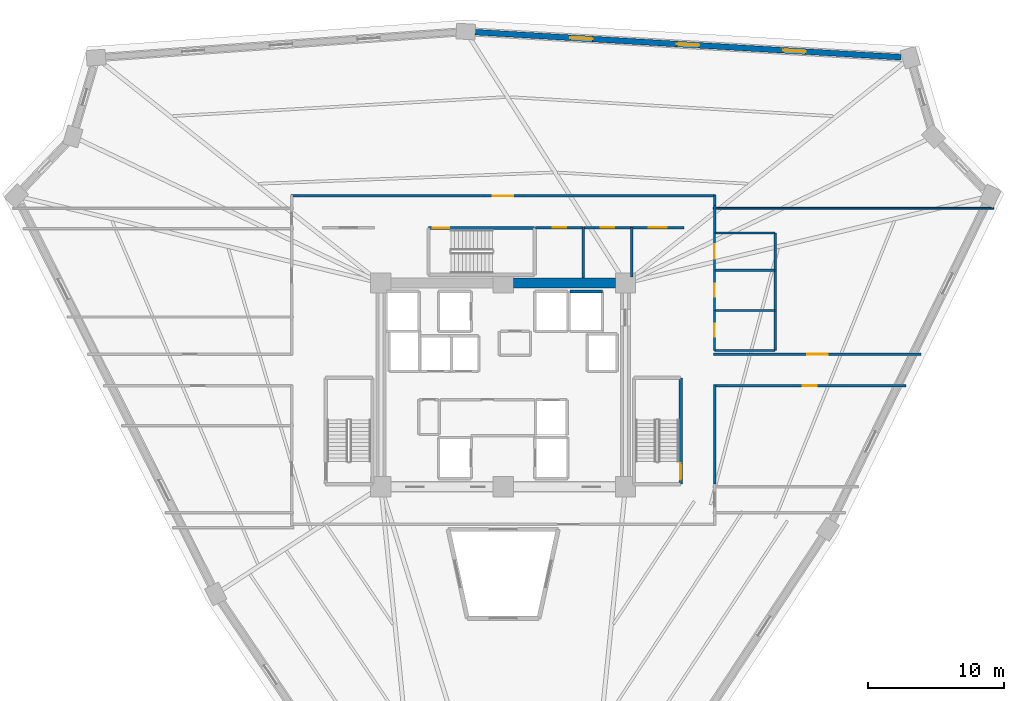
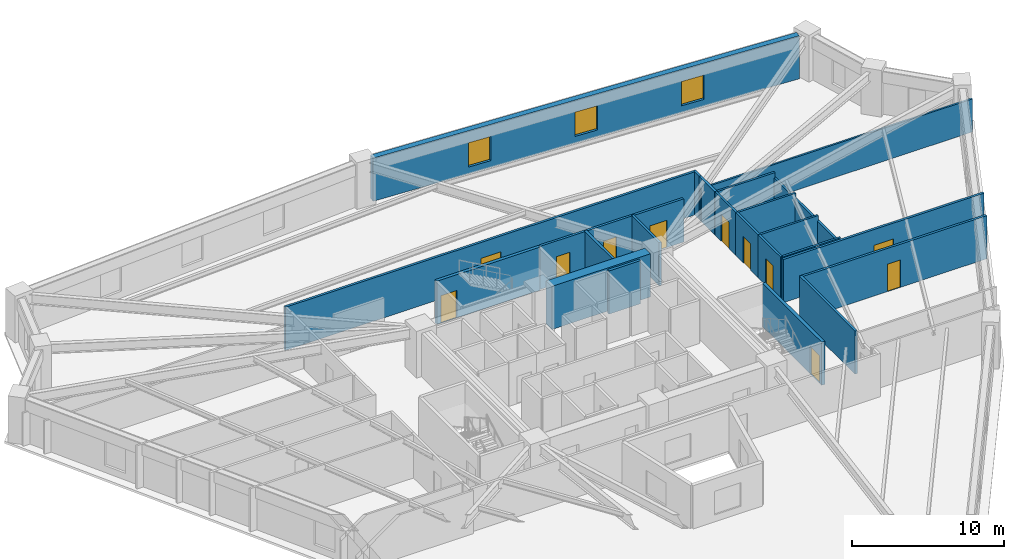
# One storey, part 6 of 8: 25 walls, 11 doors, 3 windows, 14 openings.
"""IFC4 building model written with IfcOpenShell, lengths in metres."""

from ifc_helpers import new_model, si_unit, direction, frame, frame_2d, origin, place, context, subcontext, project, spatial, rectangle, extrude, source, transform, mapped, material, layer, layer_set, type_object, element, fill, save


model = new_model("IFC4")

# Units and contexts
model_context = context("Model", 3, precision=1e-05, world=origin(), true_north=direction((0.0, 1.0)))
body_context = subcontext(model_context, "Body", "Model", "MODEL_VIEW")
ifc_project = project(units=[si_unit("LENGTHUNIT", "METRE"), si_unit("AREAUNIT", "SQUARE_METRE"), si_unit("VOLUMEUNIT", "CUBIC_METRE"), si_unit("PLANEANGLEUNIT", "RADIAN"), si_unit("MASSUNIT", "GRAM", prefix="KILO")], contexts=[model_context])

# Site, building, storey
site_placement = place(None, origin())
site = spatial("IfcSite", under=ifc_project, at=site_placement, CompositionType="ELEMENT")
building_placement = place(site_placement, origin())
building = spatial("IfcBuilding", under=site, at=building_placement, Name="Liaohun Quay Tower", CompositionType="ELEMENT")
storey_placement = place(building_placement, frame((0.0, 0.0, 135.75)))
storey = spatial("IfcBuildingStorey", under=building, at=storey_placement, Name="L35", CompositionType="ELEMENT", Elevation=135.75)

# Wall
ifc_material_1 = material(Name="Concrete C60", Category="concrete")
ifc_layer_1 = layer(ifc_material_1, 0.75, Name="Concrete C60", Category="concrete")
ifc_layer_set_1 = layer_set([ifc_layer_1], Name="Concrete C60")
wall_type_1 = type_object("IfcWallType", Name="WAL-COR-Z2", PredefinedType="SHEAR", material=ifc_layer_set_1)
wall_1_placement = place(storey_placement, frame((60.75, 61.5, 0.0), z_axis=(0.0, 0.0, 1.0), x_axis=(1.0, 0.0, 0.0)))
element("IfcWall", 1, at=wall_1_placement, inside=storey, type_object=wall_type_1, Name="L35 Central Core Shear Wall N-E", PredefinedType="SHEAR", context=body_context, shape_type="SweptSolid", body=[
    extrude(rectangle(XDim=7.5, YDim=0.75, at=frame_2d((3.75, 0.0))), origin(), (0.0, 0.0, 1.0), 3.469970703125),
])

# Wall, openings, windows
ifc_material_2 = material(Name="Precast concrete C50 insulated sandwich", Category="concrete")
ifc_layer_2 = layer(ifc_material_2, 0.419921875, Name="Precast concrete C50 insulated sandwich", Category="concrete")
ifc_layer_set_2 = layer_set([ifc_layer_2], Name="Precast concrete C50 insulated sandwich")
wall_type_2 = type_object("IfcWallType", Name="WAL-EXT-Z12", PredefinedType="SOLIDWALL", material=ifc_layer_set_2)
wall_2_placement = place(storey_placement, frame((89.27099609375, 78.115966796875, 0.0), z_axis=(0.0, 0.0, 1.0), x_axis=(-0.99826715037, 0.058844681091, 0.0)))
wall_2 = element("IfcWall", 2, at=wall_2_placement, inside=storey, type_object=wall_type_2, Name="L35 Brutalist Precast Pier Wall 06", PredefinedType="SOLIDWALL", context=body_context, shape_type="SweptSolid", body=[
    extrude(rectangle(XDim=31.386474609375, YDim=0.419921875, at=frame_2d((15.693359375, 0.0))), origin(), (0.0, 0.0, 1.0), 3.469970703125),
])
shared_shape_1 = source(origin(), body_context, "Body", "SweptSolid", [
    extrude(rectangle(XDim=1.64990234375, YDim=1.949951171875, at=frame_2d((0.824951171875, 0.97509765625))), frame((0.0, 0.219970703125, 0.0), z_axis=(0.0, -1.0, 0.0), x_axis=(1.0, 0.0, 0.0)), (0.0, 0.0, 1.0), 0.43994140625),
])
opening_1_placement = place(wall_2_placement, frame((7.02197265625, 0.0, 0.550048828125)))
opening_1 = element("IfcOpeningElement", 3, at=opening_1_placement, cuts=wall_2, Name="Opening W02", PredefinedType="OPENING", context=body_context, shape_type="MappedRepresentation", body=[
    mapped(shared_shape_1, transform((0.0, 0.0, 0.0), x_axis=(1.0, 0.0, 0.0), y_axis=(0.0, 1.0, 0.0), z_axis=(0.0, 0.0, 1.0), scale=1.0)),
])
opening_2_placement = place(wall_2_placement, frame((14.867919921875, 0.0, 0.550048828125)))
opening_2 = element("IfcOpeningElement", 4, at=opening_2_placement, cuts=wall_2, Name="Opening W02", PredefinedType="OPENING", context=body_context, shape_type="MappedRepresentation", body=[
    mapped(shared_shape_1, transform((0.0, 0.0, 0.0), x_axis=(1.0, 0.0, 0.0), y_axis=(0.0, 1.0, 0.0), z_axis=(0.0, 0.0, 1.0), scale=1.0)),
])
opening_3_placement = place(wall_2_placement, frame((22.715087890625, 0.0, 0.550048828125)))
opening_3 = element("IfcOpeningElement", 5, at=opening_3_placement, cuts=wall_2, Name="Opening W02", PredefinedType="OPENING", context=body_context, shape_type="MappedRepresentation", body=[
    mapped(shared_shape_1, transform((0.0, 0.0, 0.0), x_axis=(1.0, 0.0, 0.0), y_axis=(0.0, 1.0, 0.0), z_axis=(0.0, 0.0, 1.0), scale=1.0)),
])
ifc_material_3 = material(Name="Triple Low-E argon glazing in thermally broken aluminium", Category="aluminium")
window_type = type_object("IfcWindowType", Name="WIN-PUN-Z2", PartitioningType="DOUBLE_PANEL_VERTICAL", PredefinedType="WINDOW", material=ifc_material_3)
shared_shape_2 = source(origin(), body_context, "Body", "SweptSolid", [
    extrude(rectangle(XDim=1.64990234375, YDim=1.949951171875, at=frame_2d((0.824951171875, 0.97509765625))), frame((0.0, 0.030029296875, 0.0), z_axis=(0.0, -1.0, 0.0), x_axis=(1.0, 0.0, 0.0)), (0.0, 0.0, 1.0), 0.06005859375),
])
window_1_placement = place(opening_1_placement, origin())
window_1 = element("IfcWindow", 6, at=window_1_placement, inside=storey, type_object=window_type, Name="L35 Recessed Cold-Climate Punched Window 06-1", OverallHeight=1.949951171875, OverallWidth=1.64990234375, PartitioningType="DOUBLE_PANEL_VERTICAL", PredefinedType="WINDOW", context=body_context, shape_type="MappedRepresentation", body=[
    mapped(shared_shape_2, transform((0.0, 0.0, 0.0), x_axis=(1.0, 0.0, 0.0), y_axis=(0.0, 1.0, 0.0), z_axis=(0.0, 0.0, 1.0), scale=1.0)),
])
fill(opening_1, window_1)
window_2_placement = place(opening_2_placement, origin())
window_2 = element("IfcWindow", 7, at=window_2_placement, inside=storey, type_object=window_type, Name="L35 Recessed Cold-Climate Punched Window 06-2", OverallHeight=1.949951171875, OverallWidth=1.64990234375, PartitioningType="DOUBLE_PANEL_VERTICAL", PredefinedType="WINDOW", context=body_context, shape_type="MappedRepresentation", body=[
    mapped(shared_shape_2, transform((0.0, 0.0, 0.0), x_axis=(1.0, 0.0, 0.0), y_axis=(0.0, 1.0, 0.0), z_axis=(0.0, 0.0, 1.0), scale=1.0)),
])
fill(opening_2, window_2)
window_3_placement = place(opening_3_placement, origin())
window_3 = element("IfcWindow", 8, at=window_3_placement, inside=storey, type_object=window_type, Name="L35 Recessed Cold-Climate Punched Window 06-3", OverallHeight=1.949951171875, OverallWidth=1.64990234375, PartitioningType="DOUBLE_PANEL_VERTICAL", PredefinedType="WINDOW", context=body_context, shape_type="MappedRepresentation", body=[
    mapped(shared_shape_2, transform((0.0, 0.0, 0.0), x_axis=(1.0, 0.0, 0.0), y_axis=(0.0, 1.0, 0.0), z_axis=(0.0, 0.0, 1.0), scale=1.0)),
])
fill(opening_3, window_3)

# Wall, opening, door
ifc_material_4 = material(Name="Autoclaved aerated concrete blockwork", Category="masonry")
ifc_layer_3 = layer(ifc_material_4, 0.179931640625, Name="Autoclaved aerated concrete blockwork", Category="masonry")
ifc_layer_set_3 = layer_set([ifc_layer_3], Name="Autoclaved aerated concrete blockwork")
wall_type_3 = type_object("IfcWallType", Name="WAL-PRT-COR", PredefinedType="PARTITIONING", material=ifc_layer_set_3)
wall_3_placement = place(storey_placement, frame((62.389892578125, 65.580078125, 0.0), z_axis=(0.0, 0.0, 1.0), x_axis=(1.0, 0.0, 0.0)))
wall_3 = element("IfcWall", 9, at=wall_3_placement, inside=storey, type_object=wall_type_3, Name="L35 Interior Partition Wall 007", PredefinedType="PARTITIONING", context=body_context, shape_type="SweptSolid", body=[
    extrude(rectangle(XDim=3.489990234375, YDim=0.179931640625, at=frame_2d((1.7451171875, 0.0))), origin(), (0.0, 0.0, 1.0), 3.469970703125),
])
shared_shape_3 = source(origin(), body_context, "Body", "SweptSolid", [
    extrude(rectangle(XDim=1.0, YDim=2.199951171875, at=frame_2d((0.5, 1.10009765625))), frame((0.0, 0.099853515625, 0.0), z_axis=(0.0, -1.0, 0.0), x_axis=(1.0, 0.0, 0.0)), (0.0, 0.0, 1.0), 0.199951171875),
])
opening_4_placement = place(wall_3_placement, frame((1.2451171875, 0.0, 0.0)))
opening_4 = element("IfcOpeningElement", 10, at=opening_4_placement, cuts=wall_3, Name="Opening OD1", PredefinedType="OPENING", context=body_context, shape_type="MappedRepresentation", body=[
    mapped(shared_shape_3, transform((0.0, 0.0, 0.0), x_axis=(1.0, 0.0, 0.0), y_axis=(0.0, 1.0, 0.0), z_axis=(0.0, 0.0, 1.0), scale=1.0)),
])
ifc_material_5 = material(Name="Solid-core oak veneer timber leaf in steel frame", Category="steel")
door_type_1 = type_object("IfcDoorType", Name="DOR-OFF-1000", OperationType="NOTDEFINED", PredefinedType="DOOR", material=ifc_material_5)
shared_shape_4 = source(origin(), body_context, "Body", "SweptSolid", [
    extrude(rectangle(XDim=1.0, YDim=2.199951171875, at=frame_2d((0.5, 1.10009765625))), frame((0.0, 0.02490234375, 0.0), z_axis=(0.0, -1.0, 0.0), x_axis=(1.0, 0.0, 0.0)), (0.0, 0.0, 1.0), 0.050048828125),
])
door_1_placement = place(opening_4_placement, origin())
door_1 = element("IfcDoor", 11, at=door_1_placement, inside=storey, type_object=door_type_1, Name="L35 North-East Archive Store Door", OperationType="SINGLE_SWING_LEFT", OverallHeight=2.199951171875, OverallWidth=1.0, PredefinedType="DOOR", context=body_context, shape_type="MappedRepresentation", body=[
    mapped(shared_shape_4, transform((0.0, 0.0, 0.0), x_axis=(1.0, 0.0, 0.0), y_axis=(0.0, 1.0, 0.0), z_axis=(0.0, 0.0, 1.0), scale=1.0)),
])
fill(opening_4, door_1)

wall_4_placement = place(storey_placement, frame((65.919921875, 65.580078125, 0.0), z_axis=(0.0, 0.0, 1.0), x_axis=(1.0, 0.0, 0.0)))
wall_4 = element("IfcWall", 12, at=wall_4_placement, inside=storey, type_object=wall_type_3, Name="L35 Interior Partition Wall 008", PredefinedType="PARTITIONING", context=body_context, shape_type="SweptSolid", body=[
    extrude(rectangle(XDim=3.5400390625, YDim=0.179931640625, at=frame_2d((1.77001953125, 0.0))), origin(), (0.0, 0.0, 1.0), 3.469970703125),
])
opening_5_placement = place(wall_4_placement, frame((1.27001953125, 0.0, 0.0)))
opening_5 = element("IfcOpeningElement", 13, at=opening_5_placement, cuts=wall_4, Name="Opening OD1", PredefinedType="OPENING", context=body_context, shape_type="MappedRepresentation", body=[
    mapped(shared_shape_3, transform((0.0, 0.0, 0.0), x_axis=(1.0, 0.0, 0.0), y_axis=(0.0, 1.0, 0.0), z_axis=(0.0, 0.0, 1.0), scale=1.0)),
])
door_2_placement = place(opening_5_placement, origin())
door_2 = element("IfcDoor", 14, at=door_2_placement, inside=storey, type_object=door_type_1, Name="L35 North-East Pantry Room Door", OperationType="SINGLE_SWING_RIGHT", OverallHeight=2.199951171875, OverallWidth=1.0, PredefinedType="DOOR", context=body_context, shape_type="MappedRepresentation", body=[
    mapped(shared_shape_4, transform((0.0, 0.0, 0.0), x_axis=(1.0, 0.0, 0.0), y_axis=(0.0, 1.0, 0.0), z_axis=(0.0, 0.0, 1.0), scale=1.0)),
])
fill(opening_5, door_2)

wall_5_placement = place(storey_placement, frame((69.4599609375, 65.580078125, 0.0), z_axis=(0.0, 0.0, 1.0), x_axis=(1.0, 0.0, 0.0)))
wall_5 = element("IfcWall", 15, at=wall_5_placement, inside=storey, type_object=wall_type_3, Name="L35 Interior Partition Wall 010", PredefinedType="PARTITIONING", context=body_context, shape_type="SweptSolid", body=[
    extrude(rectangle(XDim=3.840087890625, YDim=0.179931640625, at=frame_2d((1.919921875, 0.0))), origin(), (0.0, 0.0, 1.0), 3.469970703125),
])
shared_shape_5 = source(origin(), body_context, "Body", "SweptSolid", [
    extrude(rectangle(XDim=1.300048828125, YDim=2.199951171875, at=frame_2d((0.64990234375, 1.10009765625))), frame((0.0, 0.099853515625, 0.0), z_axis=(0.0, -1.0, 0.0), x_axis=(1.0, 0.0, 0.0)), (0.0, 0.0, 1.0), 0.199951171875),
])
opening_6_placement = place(wall_5_placement, frame((1.27001953125, 0.0, 0.0)))
opening_6 = element("IfcOpeningElement", 16, at=opening_6_placement, cuts=wall_5, Name="Opening FD1", PredefinedType="OPENING", context=body_context, shape_type="MappedRepresentation", body=[
    mapped(shared_shape_5, transform((0.0, 0.0, 0.0), x_axis=(1.0, 0.0, 0.0), y_axis=(0.0, 1.0, 0.0), z_axis=(0.0, 0.0, 1.0), scale=1.0)),
])
ifc_material_6 = material(Name="Galvanised steel smokeproof fire door", Category="steel")
door_type_2 = type_object("IfcDoorType", Name="DOR-FFL-1300", OperationType="NOTDEFINED", PredefinedType="DOOR", material=ifc_material_6)
shared_shape_6 = source(origin(), body_context, "Body", "SweptSolid", [
    extrude(rectangle(XDim=1.300048828125, YDim=2.199951171875, at=frame_2d((0.64990234375, 1.10009765625))), frame((0.0, 0.02490234375, 0.0), z_axis=(0.0, -1.0, 0.0), x_axis=(1.0, 0.0, 0.0)), (0.0, 0.0, 1.0), 0.050048828125),
])
door_3_placement = place(opening_6_placement, origin())
door_3 = element("IfcDoor", 17, at=door_3_placement, inside=storey, type_object=door_type_2, Name="L35 East Core Vestibule Door", OperationType="SINGLE_SWING_RIGHT", OverallHeight=2.199951171875, OverallWidth=1.300048828125, PredefinedType="DOOR", context=body_context, shape_type="MappedRepresentation", body=[
    mapped(shared_shape_6, transform((0.0, 0.0, 0.0), x_axis=(1.0, 0.0, 0.0), y_axis=(0.0, 1.0, 0.0), z_axis=(0.0, 0.0, 1.0), scale=1.0)),
])
fill(opening_6, door_3)

wall_6_placement = place(storey_placement, frame((75.489990234375, 56.260009765625, 0.0), z_axis=(0.0, 0.0, 1.0), x_axis=(1.0, 0.0, 0.0)))
wall_6 = element("IfcWall", 18, at=wall_6_placement, inside=storey, type_object=wall_type_3, Name="L35 Interior Partition Wall 011", PredefinedType="PARTITIONING", context=body_context, shape_type="SweptSolid", body=[
    extrude(rectangle(XDim=15.26806640625, YDim=0.179931640625, at=frame_2d((7.634033203125, 0.0))), origin(), (0.0, 0.0, 1.0), 3.469970703125),
])
shared_shape_7 = source(origin(), body_context, "Body", "SweptSolid", [
    extrude(rectangle(XDim=1.5, YDim=2.199951171875, at=frame_2d((0.75, 1.10009765625))), frame((0.0, 0.099853515625, 0.0), z_axis=(0.0, -1.0, 0.0), x_axis=(1.0, 0.0, 0.0)), (0.0, 0.0, 1.0), 0.199951171875),
])
opening_7_placement = place(wall_6_placement, frame((6.884033203125, 0.0, 0.0)))
opening_7 = element("IfcOpeningElement", 19, at=opening_7_placement, cuts=wall_6, Name="Opening OD2", PredefinedType="OPENING", context=body_context, shape_type="MappedRepresentation", body=[
    mapped(shared_shape_7, transform((0.0, 0.0, 0.0), x_axis=(1.0, 0.0, 0.0), y_axis=(0.0, 1.0, 0.0), z_axis=(0.0, 0.0, 1.0), scale=1.0)),
])
ifc_material_7 = material(Name="Acoustic oak veneer double door")
door_type_3 = type_object("IfcDoorType", Name="DOR-OFF-1500", OperationType="DOUBLE_DOOR_SINGLE_SWING", PredefinedType="DOOR", material=ifc_material_7)
shared_shape_8 = source(origin(), body_context, "Body", "SweptSolid", [
    extrude(rectangle(XDim=1.5, YDim=2.199951171875, at=frame_2d((0.75, 1.10009765625))), frame((0.0, 0.02490234375, 0.0), z_axis=(0.0, -1.0, 0.0), x_axis=(1.0, 0.0, 0.0)), (0.0, 0.0, 1.0), 0.050048828125),
])
door_4_placement = place(opening_7_placement, origin())
door_4 = element("IfcDoor", 20, at=door_4_placement, inside=storey, type_object=door_type_3, Name="L35 Technical Reference Library 01 Door", OperationType="DOUBLE_DOOR_SINGLE_SWING", OverallHeight=2.199951171875, OverallWidth=1.5, PredefinedType="DOOR", context=body_context, shape_type="MappedRepresentation", body=[
    mapped(shared_shape_8, transform((0.0, 0.0, 0.0), x_axis=(1.0, 0.0, 0.0), y_axis=(0.0, 1.0, 0.0), z_axis=(0.0, 0.0, 1.0), scale=1.0)),
])
fill(opening_7, door_4)

wall_7_placement = place(storey_placement, frame((44.3701171875, 67.909912109375, 0.0), z_axis=(0.0, 0.0, 1.0), x_axis=(1.0, 0.0, 0.0)))
wall_7 = element("IfcWall", 21, at=wall_7_placement, inside=storey, type_object=wall_type_3, Name="L35 Interior Partition Wall 012", PredefinedType="PARTITIONING", context=body_context, shape_type="SweptSolid", body=[
    extrude(rectangle(XDim=31.259765625, YDim=0.179931640625, at=frame_2d((15.6298828125, 0.0))), origin(), (0.0, 0.0, 1.0), 3.469970703125),
])
opening_8_placement = place(wall_7_placement, frame((14.8798828125, 0.0, 0.0)))
opening_8 = element("IfcOpeningElement", 22, at=opening_8_placement, cuts=wall_7, Name="Opening OD2", PredefinedType="OPENING", context=body_context, shape_type="MappedRepresentation", body=[
    mapped(shared_shape_7, transform((0.0, 0.0, 0.0), x_axis=(1.0, 0.0, 0.0), y_axis=(0.0, 1.0, 0.0), z_axis=(0.0, 0.0, 1.0), scale=1.0)),
])
door_5_placement = place(opening_8_placement, origin())
door_5 = element("IfcDoor", 23, at=door_5_placement, inside=storey, type_object=door_type_3, Name="L35 Engineering Model Workshop 02 Door", OperationType="DOUBLE_DOOR_SINGLE_SWING", OverallHeight=2.199951171875, OverallWidth=1.5, PredefinedType="DOOR", context=body_context, shape_type="MappedRepresentation", body=[
    mapped(shared_shape_8, transform((0.0, 0.0, 0.0), x_axis=(1.0, 0.0, 0.0), y_axis=(0.0, 1.0, 0.0), z_axis=(0.0, 0.0, 1.0), scale=1.0)),
])
fill(opening_8, door_5)

wall_8_placement = place(storey_placement, frame((89.62890625, 53.93994140625, 0.0), z_axis=(0.0, 0.0, 1.0), x_axis=(-1.0, 0.0, 0.0)))
wall_8 = element("IfcWall", 24, at=wall_8_placement, inside=storey, type_object=wall_type_3, Name="L35 Interior Partition Wall 020", PredefinedType="PARTITIONING", context=body_context, shape_type="SweptSolid", body=[
    extrude(rectangle(XDim=14.138916015625, YDim=0.179931640625, at=frame_2d((7.0693359375, 0.0))), origin(), (0.0, 0.0, 1.0), 3.469970703125),
])
opening_9_placement = place(wall_8_placement, frame((6.570068359375, 0.0, 0.0)))
opening_9 = element("IfcOpeningElement", 25, at=opening_9_placement, cuts=wall_8, Name="Opening OD1", PredefinedType="OPENING", context=body_context, shape_type="MappedRepresentation", body=[
    mapped(shared_shape_3, transform((0.0, 0.0, 0.0), x_axis=(1.0, 0.0, 0.0), y_axis=(0.0, 1.0, 0.0), z_axis=(0.0, 0.0, 1.0), scale=1.0)),
])
door_6_placement = place(opening_9_placement, origin())
door_6 = element("IfcDoor", 26, at=door_6_placement, inside=storey, type_object=door_type_1, Name="L35 Open-Plan Office Workplace 10 Door", OperationType="SINGLE_SWING_RIGHT", OverallHeight=2.199951171875, OverallWidth=1.0, PredefinedType="DOOR", context=body_context, shape_type="MappedRepresentation", body=[
    mapped(shared_shape_4, transform((0.0, 0.0, 0.0), x_axis=(1.0, 0.0, 0.0), y_axis=(0.0, 1.0, 0.0), z_axis=(0.0, 0.0, 1.0), scale=1.0)),
])
fill(opening_9, door_6)

# Walls
wall_9_placement = place(storey_placement, frame((65.8798828125, 61.875, 0.0), z_axis=(0.0, 0.0, 1.0), x_axis=(0.0, 1.0, 0.0)))
element("IfcWall", 27, at=wall_9_placement, inside=storey, type_object=wall_type_3, Name="L35 Interior Partition Wall 032", PredefinedType="PARTITIONING", context=body_context, shape_type="SweptSolid", body=[
    extrude(rectangle(XDim=3.705078125, YDim=0.179931640625, at=frame_2d((1.8525390625, 0.0))), origin(), (0.0, 0.0, 1.0), 3.469970703125),
])
wall_10_placement = place(storey_placement, frame((69.4599609375, 61.949951171875, 0.0), z_axis=(0.0, 0.0, 1.0), x_axis=(0.0, 1.0, 0.0)))
element("IfcWall", 28, at=wall_10_placement, inside=storey, type_object=wall_type_3, Name="L35 Interior Partition Wall 033", PredefinedType="PARTITIONING", context=body_context, shape_type="SweptSolid", body=[
    extrude(rectangle(XDim=3.630126953125, YDim=0.179931640625, at=frame_2d((1.81494140625, 0.0))), origin(), (0.0, 0.0, 1.0), 3.469970703125),
])
wall_11_placement = place(storey_placement, frame((75.56005859375, 67.215087890625, 0.0), z_axis=(0.0, 0.0, 1.0), x_axis=(0.0, -1.0, 0.0)))
element("IfcWall", 29, at=wall_11_placement, inside=storey, type_object=wall_type_3, Name="L35 Interior Partition Wall 034", PredefinedType="PARTITIONING", context=body_context, shape_type="SweptSolid", body=[
    extrude(rectangle(XDim=2.03515625, YDim=0.179931640625, at=frame_2d((1.017578125, 0.0))), origin(), (0.0, 0.0, 1.0), 3.469970703125),
])
wall_12_placement = place(storey_placement, frame((75.56005859375, 67.97998046875, 0.0), z_axis=(0.0, 0.0, 1.0), x_axis=(0.0, -1.0, 0.0)))
element("IfcWall", 30, at=wall_12_placement, inside=storey, type_object=wall_type_3, Name="L35 Interior Partition Wall 036", PredefinedType="PARTITIONING", context=body_context, shape_type="SweptSolid", body=[
    extrude(rectangle(XDim=0.764892578125, YDim=0.179931640625, at=frame_2d((0.38232421875, 0.0))), origin(), (0.0, 0.0, 1.0), 3.469970703125),
])
wall_13_placement = place(storey_placement, frame((75.56005859375, 54.010009765625, 0.0), z_axis=(0.0, 0.0, 1.0), x_axis=(0.0, -1.0, 0.0)))
element("IfcWall", 31, at=wall_13_placement, inside=storey, type_object=wall_type_3, Name="L35 Interior Partition Wall 041", PredefinedType="PARTITIONING", context=body_context, shape_type="SweptSolid", body=[
    extrude(rectangle(XDim=7.294921875, YDim=0.179931640625, at=frame_2d((3.6474609375, 0.0))), origin(), (0.0, 0.0, 1.0), 3.469970703125),
])
ifc_material_8 = material(Name="Gypsum board on twin steel studs", Category="steel")
ifc_layer_4 = layer(ifc_material_8, 0.139892578125, Name="Gypsum board on twin steel studs", Category="steel")
ifc_layer_set_4 = layer_set([ifc_layer_4], Name="Gypsum board on twin steel studs")
wall_type_4 = type_object("IfcWallType", Name="WAL-PRT-OFF", PredefinedType="PARTITIONING", material=ifc_layer_set_4)
wall_14_placement = place(storey_placement, frame((75.4599609375, 67.0, 0.0), z_axis=(0.0, 0.0, 1.0), x_axis=(1.0, 0.0, 0.0)))
element("IfcWall", 32, at=wall_14_placement, inside=storey, type_object=wall_type_4, Name="L35 Interior Partition Wall 050", PredefinedType="PARTITIONING", context=body_context, shape_type="SweptSolid", body=[
    extrude(rectangle(XDim=20.635009765625, YDim=0.139892578125, at=frame_2d((10.3173828125, 0.0))), origin(), (0.0, 0.0, 1.0), 2.655029296875),
])

# Wall, opening, door
ifc_material_9 = material(Name="Moisture-resistant masonry blockwork", Category="masonry")
ifc_layer_5 = layer(ifc_material_9, 0.159912109375, Name="Moisture-resistant masonry blockwork", Category="masonry")
ifc_layer_set_5 = layer_set([ifc_layer_5], Name="Moisture-resistant masonry blockwork")
wall_type_5 = type_object("IfcWallType", Name="WAL-PRT-WET", PredefinedType="PARTITIONING", material=ifc_layer_set_5)
wall_15_placement = place(storey_placement, frame((75.56005859375, 56.5400390625, 0.0), z_axis=(0.0, 0.0, 1.0), x_axis=(0.0, 1.0, 0.0)))
wall_15 = element("IfcWall", 33, at=wall_15_placement, inside=storey, type_object=wall_type_5, Name="L35 Interior Partition Wall 004", PredefinedType="PARTITIONING", context=body_context, shape_type="SweptSolid", body=[
    extrude(rectangle(XDim=2.93994140625, YDim=0.159912109375, at=frame_2d((1.469970703125, 0.0))), origin(), (0.0, 0.0, 1.0), 3.469970703125),
])
shared_shape_9 = source(origin(), body_context, "Body", "SweptSolid", [
    extrude(rectangle(XDim=0.949951171875, YDim=2.14990234375, at=frame_2d((0.47509765625, 1.074951171875))), frame((0.0, 0.08984375, 0.0), z_axis=(0.0, -1.0, 0.0), x_axis=(1.0, 0.0, 0.0)), (0.0, 0.0, 1.0), 0.179931640625),
])
opening_10_placement = place(wall_15_placement, frame((0.9951171875, 0.0, 0.0)))
opening_10 = element("IfcOpeningElement", 34, at=opening_10_placement, cuts=wall_15, Name="Opening WD1", PredefinedType="OPENING", context=body_context, shape_type="MappedRepresentation", body=[
    mapped(shared_shape_9, transform((0.0, 0.0, 0.0), x_axis=(1.0, 0.0, 0.0), y_axis=(0.0, 1.0, 0.0), z_axis=(0.0, 0.0, 1.0), scale=1.0)),
])
ifc_material_10 = material(Name="Moisture-resistant laminate timber leaf", Category="wood")
door_type_4 = type_object("IfcDoorType", Name="DOR-WC-950", OperationType="NOTDEFINED", PredefinedType="DOOR", material=ifc_material_10)
shared_shape_10 = source(origin(), body_context, "Body", "SweptSolid", [
    extrude(rectangle(XDim=0.949951171875, YDim=2.14990234375, at=frame_2d((0.47509765625, 1.074951171875))), frame((0.0, 0.02490234375, 0.0), z_axis=(0.0, -1.0, 0.0), x_axis=(1.0, 0.0, 0.0)), (0.0, 0.0, 1.0), 0.050048828125),
])
door_7_placement = place(opening_10_placement, origin())
door_7 = element("IfcDoor", 35, at=door_7_placement, inside=storey, type_object=door_type_4, Name="L35 Male Restroom WC Door", OperationType="SINGLE_SWING_RIGHT", OverallHeight=2.14990234375, OverallWidth=0.949951171875, PredefinedType="DOOR", context=body_context, shape_type="MappedRepresentation", body=[
    mapped(shared_shape_10, transform((0.0, 0.0, 0.0), x_axis=(1.0, 0.0, 0.0), y_axis=(0.0, 1.0, 0.0), z_axis=(0.0, 0.0, 1.0), scale=1.0)),
])
fill(opening_10, door_7)

wall_16_placement = place(storey_placement, frame((75.56005859375, 59.47998046875, 0.0), z_axis=(0.0, 0.0, 1.0), x_axis=(0.0, 1.0, 0.0)))
wall_16 = element("IfcWall", 36, at=wall_16_placement, inside=storey, type_object=wall_type_5, Name="L35 Interior Partition Wall 005", PredefinedType="PARTITIONING", context=body_context, shape_type="SweptSolid", body=[
    extrude(rectangle(XDim=2.9599609375, YDim=0.159912109375, at=frame_2d((1.47998046875, 0.0))), origin(), (0.0, 0.0, 1.0), 3.469970703125),
])
opening_11_placement = place(wall_16_placement, frame((1.0048828125, 0.0, 0.0)))
opening_11 = element("IfcOpeningElement", 37, at=opening_11_placement, cuts=wall_16, Name="Opening WD1", PredefinedType="OPENING", context=body_context, shape_type="MappedRepresentation", body=[
    mapped(shared_shape_9, transform((0.0, 0.0, 0.0), x_axis=(1.0, 0.0, 0.0), y_axis=(0.0, 1.0, 0.0), z_axis=(0.0, 0.0, 1.0), scale=1.0)),
])
door_8_placement = place(opening_11_placement, origin())
door_8 = element("IfcDoor", 38, at=door_8_placement, inside=storey, type_object=door_type_4, Name="L35 Female Restroom WC Door", OperationType="SINGLE_SWING_LEFT", OverallHeight=2.14990234375, OverallWidth=0.949951171875, PredefinedType="DOOR", context=body_context, shape_type="MappedRepresentation", body=[
    mapped(shared_shape_10, transform((0.0, 0.0, 0.0), x_axis=(1.0, 0.0, 0.0), y_axis=(0.0, 1.0, 0.0), z_axis=(0.0, 0.0, 1.0), scale=1.0)),
])
fill(opening_11, door_8)

wall_17_placement = place(storey_placement, frame((75.56005859375, 62.43994140625, 0.0), z_axis=(0.0, 0.0, 1.0), x_axis=(0.0, 1.0, 0.0)))
wall_17 = element("IfcWall", 39, at=wall_17_placement, inside=storey, type_object=wall_type_5, Name="L35 Interior Partition Wall 006", PredefinedType="PARTITIONING", context=body_context, shape_type="SweptSolid", body=[
    extrude(rectangle(XDim=2.739990234375, YDim=0.159912109375, at=frame_2d((1.3701171875, 0.0))), origin(), (0.0, 0.0, 1.0), 3.469970703125),
])
shared_shape_11 = source(origin(), body_context, "Body", "SweptSolid", [
    extrude(rectangle(XDim=1.050048828125, YDim=2.14990234375, at=frame_2d((0.52490234375, 1.074951171875))), frame((0.0, 0.08984375, 0.0), z_axis=(0.0, -1.0, 0.0), x_axis=(1.0, 0.0, 0.0)), (0.0, 0.0, 1.0), 0.179931640625),
])
opening_12_placement = place(wall_17_placement, frame((0.844970703125, 0.0, 0.0)))
opening_12 = element("IfcOpeningElement", 40, at=opening_12_placement, cuts=wall_17, Name="Opening WD2", PredefinedType="OPENING", context=body_context, shape_type="MappedRepresentation", body=[
    mapped(shared_shape_11, transform((0.0, 0.0, 0.0), x_axis=(1.0, 0.0, 0.0), y_axis=(0.0, 1.0, 0.0), z_axis=(0.0, 0.0, 1.0), scale=1.0)),
])
ifc_material_11 = material(Name="Accessible outward-swinging laminate door")
door_type_5 = type_object("IfcDoorType", Name="DOR-AWC-1050", OperationType="NOTDEFINED", PredefinedType="DOOR", material=ifc_material_11)
shared_shape_12 = source(origin(), body_context, "Body", "SweptSolid", [
    extrude(rectangle(XDim=1.050048828125, YDim=2.14990234375, at=frame_2d((0.52490234375, 1.074951171875))), frame((0.0, 0.02490234375, 0.0), z_axis=(0.0, -1.0, 0.0), x_axis=(1.0, 0.0, 0.0)), (0.0, 0.0, 1.0), 0.050048828125),
])
door_9_placement = place(opening_12_placement, origin())
door_9 = element("IfcDoor", 41, at=door_9_placement, inside=storey, type_object=door_type_5, Name="L35 Accessible WC Door", OperationType="SINGLE_SWING_RIGHT", OverallHeight=2.14990234375, OverallWidth=1.050048828125, PredefinedType="DOOR", context=body_context, shape_type="MappedRepresentation", body=[
    mapped(shared_shape_12, transform((0.0, 0.0, 0.0), x_axis=(1.0, 0.0, 0.0), y_axis=(0.0, 1.0, 0.0), z_axis=(0.0, 0.0, 1.0), scale=1.0)),
])
fill(opening_12, door_9)

# Walls
wall_18_placement = place(storey_placement, frame((80.02001953125, 56.5400390625, 0.0), z_axis=(0.0, 0.0, 1.0), x_axis=(0.0, 1.0, 0.0)))
element("IfcWall", 42, at=wall_18_placement, inside=storey, type_object=wall_type_5, Name="L35 Interior Partition Wall 027", PredefinedType="PARTITIONING", context=body_context, shape_type="SweptSolid", body=[
    extrude(rectangle(XDim=8.639892578125, YDim=0.159912109375, at=frame_2d((4.31982421875, 0.0))), origin(), (0.0, 0.0, 1.0), 3.054931640625),
])
for number, where, z_axis, x_axis, name in (
    (43, (75.56005859375, 56.5400390625, 0.0), (0.0, 0.0, 1.0), (1.0, 0.0, 0.0), "L35 Interior Partition Wall 028"),
    (44, (75.56005859375, 59.47998046875, 0.0), (0.0, 0.0, 1.0), (1.0, 0.0, 0.0), "L35 Interior Partition Wall 029"),
    (45, (75.56005859375, 62.43994140625, 0.0), (0.0, 0.0, 1.0), (1.0, 0.0, 0.0), "L35 Interior Partition Wall 030"),
    (46, (75.56005859375, 65.179931640625, 0.0), (0.0, 0.0, 1.0), (1.0, 0.0, 0.0), "L35 Interior Partition Wall 031"),
):
    element("IfcWall", number, at=place(storey_placement, frame(where, z_axis=z_axis, x_axis=x_axis)), inside=storey, type_object=wall_type_5, Name=name, PredefinedType="PARTITIONING", context=body_context, shape_type="SweptSolid", body=[
        extrude(rectangle(XDim=4.4599609375, YDim=0.159912109375, at=frame_2d((2.22998046875, 0.0))), origin(), (0.0, 0.0, 1.0), 3.469970703125),
    ])

# Wall, opening, door
ifc_material_12 = material(Name="Concrete C50", Category="concrete")
ifc_layer_6 = layer(ifc_material_12, 0.239990234375, Name="Concrete C50", Category="concrete")
ifc_layer_set_6 = layer_set([ifc_layer_6], Name="Concrete C50")
wall_type_6 = type_object("IfcWallType", Name="WAL-SHF-200", PredefinedType="SOLIDWALL", material=ifc_layer_set_6)
wall_19_placement = place(storey_placement, frame((73.06005859375, 46.699951171875, 0.0), z_axis=(0.0, 0.0, 1.0), x_axis=(0.0, 1.0, 0.0)))
wall_19 = element("IfcWall", 47, at=wall_19_placement, inside=storey, type_object=wall_type_6, Name="L35 Stairwell ST-2 Structural Core Wall E", PredefinedType="SOLIDWALL", context=body_context, shape_type="SweptSolid", body=[
    extrude(rectangle(XDim=7.820068359375, YDim=0.239990234375, at=frame_2d((3.91015625, 0.0))), origin(), (0.0, 0.0, 1.0), 3.469970703125),
])
shared_shape_13 = source(origin(), body_context, "Body", "SweptSolid", [
    extrude(rectangle(XDim=1.199951171875, YDim=2.199951171875, at=frame_2d((0.60009765625, 1.10009765625))), frame((0.0, 0.1298828125, 0.0), z_axis=(0.0, -1.0, 0.0), x_axis=(1.0, 0.0, 0.0)), (0.0, 0.0, 1.0), 0.260009765625),
])
opening_13_placement = place(wall_19_placement, frame((0.320068359375, 0.0, 0.0)))
opening_13 = element("IfcOpeningElement", 48, at=opening_13_placement, cuts=wall_19, Name="Opening SD1", PredefinedType="OPENING", context=body_context, shape_type="MappedRepresentation", body=[
    mapped(shared_shape_13, transform((0.0, 0.0, 0.0), x_axis=(1.0, 0.0, 0.0), y_axis=(0.0, 1.0, 0.0), z_axis=(0.0, 0.0, 1.0), scale=1.0)),
])
ifc_material_13 = material(Name="Galvanised steel fire door", Category="steel")
door_type_6 = type_object("IfcDoorType", Name="DOR-STR-1200", OperationType="NOTDEFINED", PredefinedType="DOOR", material=ifc_material_13)
shared_shape_14 = source(origin(), body_context, "Body", "SweptSolid", [
    extrude(rectangle(XDim=1.199951171875, YDim=2.199951171875, at=frame_2d((0.60009765625, 1.10009765625))), frame((0.0, 0.02490234375, 0.0), z_axis=(0.0, -1.0, 0.0), x_axis=(1.0, 0.0, 0.0)), (0.0, 0.0, 1.0), 0.050048828125),
])
door_10_placement = place(opening_13_placement, origin())
door_10 = element("IfcDoor", 49, at=door_10_placement, inside=storey, type_object=door_type_6, Name="L35 Protected Stair ST-2 Fire Door", OperationType="SINGLE_SWING_RIGHT", OverallHeight=2.199951171875, OverallWidth=1.199951171875, PredefinedType="DOOR", context=body_context, shape_type="MappedRepresentation", body=[
    mapped(shared_shape_14, transform((0.0, 0.0, 0.0), x_axis=(1.0, 0.0, 0.0), y_axis=(0.0, 1.0, 0.0), z_axis=(0.0, 0.0, 1.0), scale=1.0)),
])
fill(opening_13, door_10)

wall_20_placement = place(storey_placement, frame((62.320068359375, 65.5400390625, 0.0), z_axis=(0.0, 0.0, 1.0), x_axis=(-1.0, 0.0, 0.0)))
wall_20 = element("IfcWall", 50, at=wall_20_placement, inside=storey, type_object=wall_type_6, Name="L35 Stairwell ST-3 Structural Core Wall N", PredefinedType="SOLIDWALL", context=body_context, shape_type="SweptSolid", body=[
    extrude(rectangle(XDim=7.820068359375, YDim=0.239990234375, at=frame_2d((3.91015625, 0.0))), origin(), (0.0, 0.0, 1.0), 3.469970703125),
])
opening_14_placement = place(wall_20_placement, frame((6.300048828125, 0.0, 0.0)))
opening_14 = element("IfcOpeningElement", 51, at=opening_14_placement, cuts=wall_20, Name="Opening SD1", PredefinedType="OPENING", context=body_context, shape_type="MappedRepresentation", body=[
    mapped(shared_shape_13, transform((0.0, 0.0, 0.0), x_axis=(1.0, 0.0, 0.0), y_axis=(0.0, 1.0, 0.0), z_axis=(0.0, 0.0, 1.0), scale=1.0)),
])
door_11_placement = place(opening_14_placement, origin())
door_11 = element("IfcDoor", 52, at=door_11_placement, inside=storey, type_object=door_type_6, Name="L35 Protected Stair ST-3 Fire Door", OperationType="SINGLE_SWING_RIGHT", OverallHeight=2.199951171875, OverallWidth=1.199951171875, PredefinedType="DOOR", context=body_context, shape_type="MappedRepresentation", body=[
    mapped(shared_shape_14, transform((0.0, 0.0, 0.0), x_axis=(1.0, 0.0, 0.0), y_axis=(0.0, 1.0, 0.0), z_axis=(0.0, 0.0, 1.0), scale=1.0)),
])
fill(opening_14, door_11)

# Wall
wall_21_placement = place(storey_placement, frame((67.300048828125, 60.8798828125, 0.0), z_axis=(0.0, 0.0, 1.0), x_axis=(-1.0, 0.0, 0.0)))
element("IfcWall", 53, at=wall_21_placement, inside=storey, type_object=wall_type_6, Name="L35 Lift OB-02 Hoistway Wall N", PredefinedType="SOLIDWALL", context=body_context, shape_type="SweptSolid", body=[
    extrude(rectangle(XDim=2.400146484375, YDim=0.199951171875, at=frame_2d((1.2001953125, 0.0))), origin(), (0.0, 0.0, 1.0), 3.469970703125),
])

save(model, "model.ifc")
